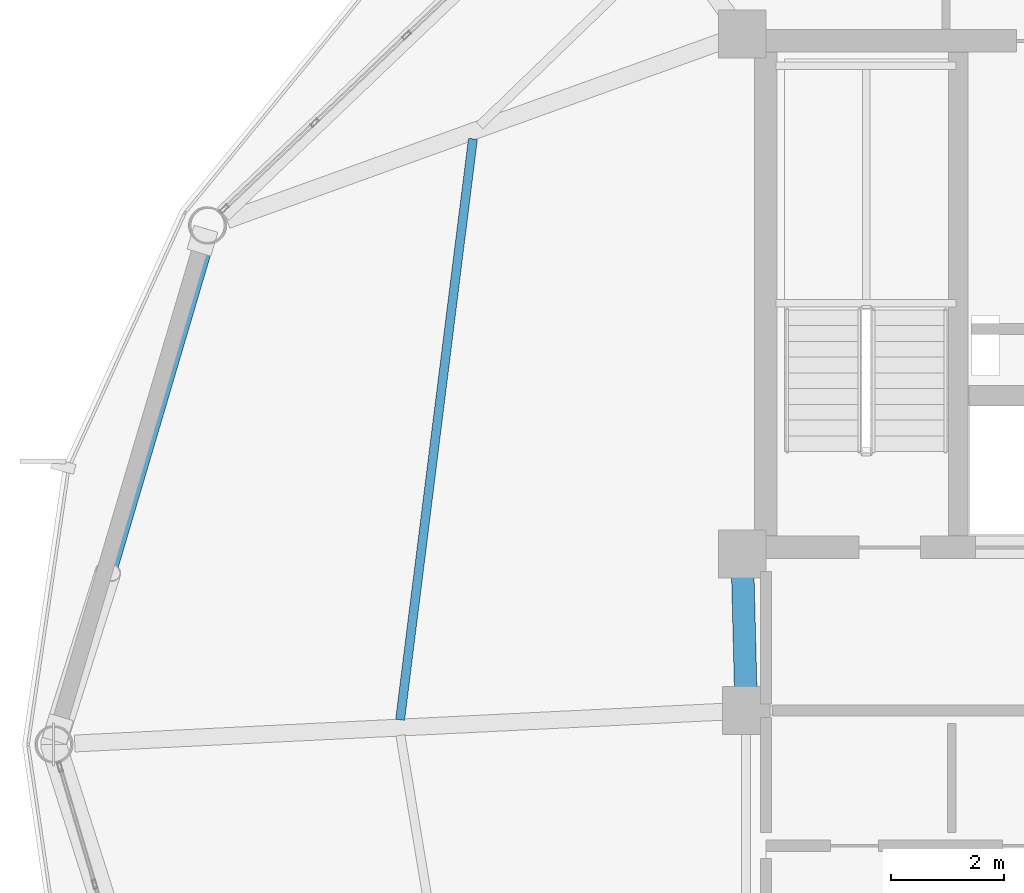
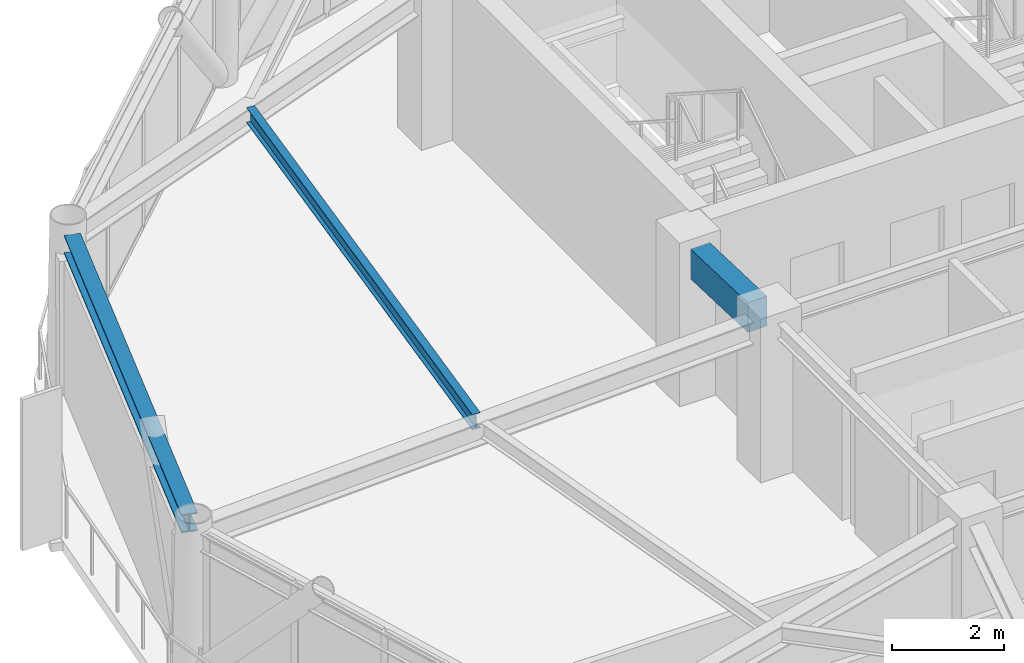
# One storey, part 12 of 28: 3 beams.
"""IFC4 building model written with IfcOpenShell, lengths in metres."""

from ifc_helpers import new_model, si_unit, direction, frame, origin, origin_2d, place, context, subcontext, project, spatial, rectangle, i_section, extrude, material, material_profile, profile_set, type_object, element, save


model = new_model("IFC4")

# Units and contexts
model_context = context("Model", 3, precision=1e-05, world=origin(), true_north=direction((0.0, 1.0)))
body_context = subcontext(model_context, "Body", "Model", "MODEL_VIEW")
ifc_project = project(units=[si_unit("LENGTHUNIT", "METRE"), si_unit("AREAUNIT", "SQUARE_METRE"), si_unit("VOLUMEUNIT", "CUBIC_METRE"), si_unit("PLANEANGLEUNIT", "RADIAN"), si_unit("MASSUNIT", "GRAM", prefix="KILO")], contexts=[model_context])

# Site, building, storey
site_placement = place(None, origin())
site = spatial("IfcSite", under=ifc_project, at=site_placement, CompositionType="ELEMENT")
building_placement = place(site_placement, origin())
building = spatial("IfcBuilding", under=site, at=building_placement, Name="Varnakorn Sky Granary", CompositionType="ELEMENT")
storey_placement = place(building_placement, frame((0.0, 0.0, 193.199951171875)))
storey = spatial("IfcBuildingStorey", under=building, at=storey_placement, Name="L48", CompositionType="ELEMENT", Elevation=193.199951171875)

# Beams
ifc_material_1 = material(Name="Concrete C50/60", Category="concrete")
ifc_material_profile_1 = material_profile(ifc_material_1, rectangle(XDim=0.39990234375, YDim=0.64990234375, at=origin_2d()), Name="RC 400x650")
ifc_profile_set_1 = profile_set([ifc_material_profile_1], Name="Concrete C50/60")
beam_type_1 = type_object("IfcBeamType", Name="BM-LIN-650", PredefinedType="LINTEL", material=ifc_profile_set_1)
beam_1_placement = place(storey_placement, frame((-2.409912109375, 2.97509765625, 3.03515625), z_axis=(0.025270737467, -0.99968064392, 0.0), x_axis=(0.99968064392, 0.025270737467, 0.0)))
element("IfcBeam", 1, at=beam_1_placement, inside=storey, type_object=beam_type_1, Name="Core Spine Framing Beam 1 L48", PredefinedType="LINTEL", context=body_context, shape_type="SweptSolid", body=[
    extrude(rectangle(XDim=0.39990234375, YDim=0.64990234375, at=origin_2d()), origin(), (0.0, 0.0, 1.0), 1.970947265625),
])
ifc_material_2 = material(Name="Steel S355JR", Category="steel")
ifc_material_profile_2 = material_profile(ifc_material_2, i_section(OverallWidth=0.159912109375, OverallDepth=0.330078125, WebThickness=0.007568359375, FlangeThickness=0.011474609375, at=origin_2d()), Name="IPE 330")
ifc_profile_set_2 = profile_set([ifc_material_profile_2], Name="Steel S355JR")
beam_type_2 = type_object("IfcBeamType", Name="BM-SEC-Z4", PredefinedType="BEAM", material=ifc_profile_set_2)
beam_2_placement = place(storey_placement, frame((-7.205810546875, 10.7587890625, 3.195068359375), z_axis=(-0.124361124606, -0.992237023441, 0.0), x_axis=(0.992237023441, -0.124361124606, 0.0)))
element("IfcBeam", 2, at=beam_2_placement, inside=storey, type_object=beam_type_2, Name="Secondary Floor Chord Beam MSB06 L48", PredefinedType="BEAM", context=body_context, shape_type="SweptSolid", body=[
    extrude(i_section(OverallWidth=0.159912109375, OverallDepth=0.330078125, WebThickness=0.007568359375, FlangeThickness=0.011474609375, at=origin_2d()), origin(), (0.0, 0.0, 1.0), 10.40283203125),
])
ifc_material_profile_3 = material_profile(ifc_material_2, i_section(OverallWidth=0.300048828125, OverallDepth=0.39990234375, WebThickness=0.013427734375, FlangeThickness=0.02392578125, at=origin_2d()), Name="HE 400 B")
ifc_profile_set_3 = profile_set([ifc_material_profile_3], Name="Steel S355JR")
beam_type_3 = type_object("IfcBeamType", Name="BM-SPD-Z4", PredefinedType="SPANDREL", material=ifc_profile_set_3)
beam_3_placement = place(storey_placement, frame((-11.96142578125, 8.90380859375, 3.16015625), z_axis=(-0.283527622296, -0.958964069919, 0.0), x_axis=(0.958964069919, -0.283527622296, 0.0)))
element("IfcBeam", 3, at=beam_3_placement, inside=storey, type_object=beam_type_3, Name="Perimeter Spandrel Ring Beam RB06 L48", PredefinedType="SPANDREL", context=body_context, shape_type="SweptSolid", body=[
    extrude(i_section(OverallWidth=0.300048828125, OverallDepth=0.39990234375, WebThickness=0.013427734375, FlangeThickness=0.02392578125, at=origin_2d()), origin(), (0.0, 0.0, 1.0), 8.969970703125),
])

save(model, "model.ifc")
